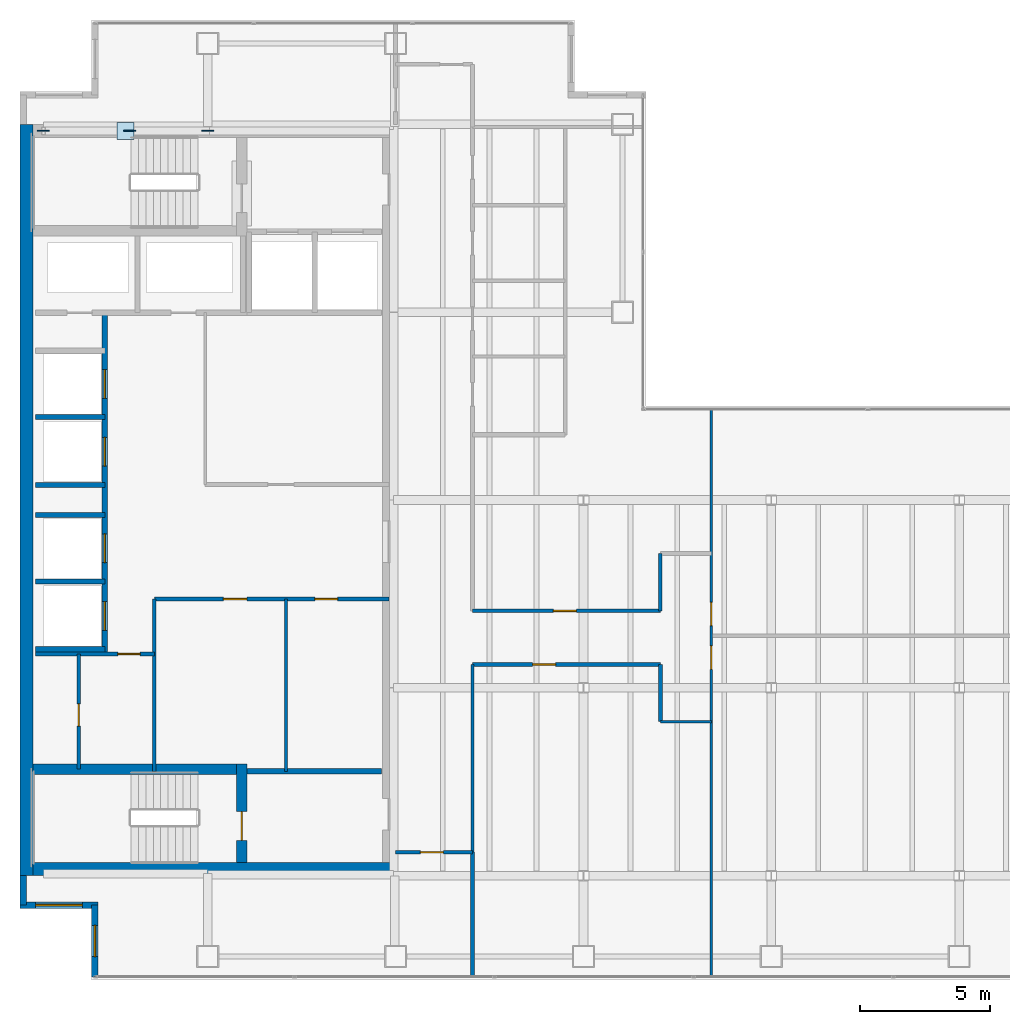
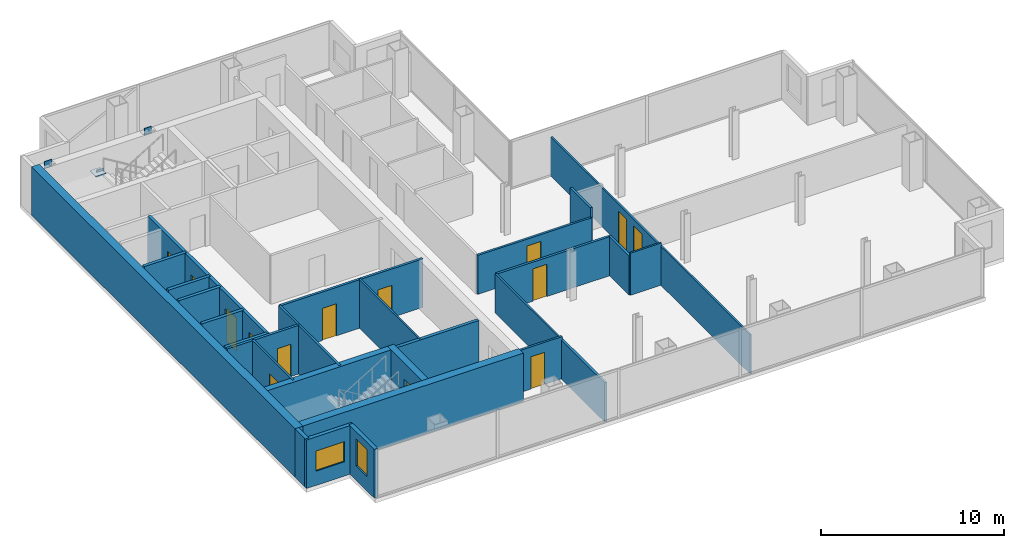
# One storey, part 20 of 23: 28 walls, 14 doors, 4 plates, 2 windows, 16 openings.
"""IFC4 building model written with IfcOpenShell, lengths in metres."""

from ifc_helpers import new_model, si_unit, direction, frame, frame_2d, origin, origin_2d, place, context, subcontext, project, spatial, rectangle, extrude, material, layer, layer_set, type_object, element, fill, save


model = new_model("IFC4")

# Units and contexts
model_context = context("Model", 3, precision=1e-05, world=origin(), true_north=direction((0.0, 1.0)))
body_context = subcontext(model_context, "Body", "Model", "MODEL_VIEW")
ifc_project = project(units=[si_unit("LENGTHUNIT", "METRE"), si_unit("AREAUNIT", "SQUARE_METRE"), si_unit("VOLUMEUNIT", "CUBIC_METRE"), si_unit("PLANEANGLEUNIT", "RADIAN"), si_unit("MASSUNIT", "GRAM", prefix="KILO")], contexts=[model_context])

# Site, building, storey
site_placement = place(None, origin())
site = spatial("IfcSite", under=ifc_project, at=site_placement, CompositionType="ELEMENT")
building_placement = place(site_placement, origin())
building = spatial("IfcBuilding", under=site, at=building_placement, Name="Cobrela Telecom Tower", CompositionType="ELEMENT")
storey_placement = place(building_placement, frame((0.0, 0.0, 183.75)))
storey = spatial("IfcBuildingStorey", under=building, at=storey_placement, Name="L46", CompositionType="ELEMENT", Elevation=183.75)

# Plates
ifc_material_1 = material(Name="Steel ASTM A572 Grade 50", Category="steel")
ifc_layer_1 = layer(ifc_material_1, 0.0419921875)
ifc_layer_set_1 = layer_set([ifc_layer_1], Name="Steel ASTM A572 Grade 50")
plate_type = type_object("IfcPlateType", Name="PLT-NODE-ND1", PredefinedType="USERDEFINED", material=ifc_layer_set_1)
for number, where, z_axis, x_axis, name in (
    (1, (7.199951171875, 35.75, 3.050048828125), (0.0, 0.0, 1.0), (1.0, 0.0, 0.0), "Steel node plate PLT-MBR-EXO-L46-N1-A-1"),
    (2, (4.198486328125, 35.75, 1.311767578125), (0.0, 0.0, 1.0), (-1.0, 0.0, 0.0), "Steel node plate PLT-MBR-EXO-L46-N1-B1-1"),
    (3, (0.89990234375, 35.75, 3.050048828125), (0.0, 0.0, 1.0), (-1.0, 0.0, 0.0), "Steel node plate PLT-MBR-EXO-L46-N1-B2-1"),
):
    element("IfcPlate", number, at=place(storey_placement, frame(where, z_axis=z_axis, x_axis=x_axis)), inside=storey, type_object=plate_type, Name=name, ObjectType="GUSSET PLATE", PredefinedType="USERDEFINED", context=body_context, shape_type="SweptSolid", body=[
        extrude(rectangle(XDim=0.4599609375, YDim=0.044921875, at=origin_2d()), origin(), (0.0, 0.0, 1.0), 0.4599609375),
    ])
plate_placement = place(storey_placement, frame((4.050048828125, 35.75, 1.59765625), z_axis=(0.0, 0.0, 1.0), x_axis=(1.0, 0.0, 0.0)))
element("IfcPlate", 4, at=plate_placement, inside=storey, type_object=plate_type, Name="L46 Core Flange Steel X-Brace Central X-Crossing Gusset Plate", ObjectType="GUSSET PLATE", PredefinedType="USERDEFINED", context=body_context, shape_type="SweptSolid", body=[
    extrude(rectangle(XDim=0.64990234375, YDim=0.64990234375, at=origin_2d()), origin(), (0.0, 0.0, 1.0), 0.044921875),
])

# Walls
ifc_material_2 = material(Name="Concrete C40/50", Category="concrete")
ifc_layer_2 = layer(ifc_material_2, 0.5)
ifc_layer_set_2 = layer_set([ifc_layer_2], Name="Concrete C40/50")
wall_type_1 = type_object("IfcWallType", Name="WALL-CORE-C40-500", PredefinedType="SHEAR", material=ifc_layer_set_2)
wall_1_placement = place(storey_placement, frame((0.25, 7.199951171875, 0.0), z_axis=(0.0, 0.0, 1.0), x_axis=(0.0, 1.0, 0.0)))
element("IfcWall", 5, at=wall_1_placement, inside=storey, type_object=wall_type_1, Name="L46 West Core Shear Wall", PredefinedType="SHEAR", context=body_context, shape_type="SweptSolid", body=[
    extrude(rectangle(XDim=28.800048828125, YDim=0.5, at=frame_2d((14.39990234375, 0.0))), origin(), (0.0, 0.0, 1.0), 3.239990234375),
])
wall_2_placement = place(storey_placement, frame((0.5, 7.449951171875, 0.0), z_axis=(0.0, 0.0, 1.0), x_axis=(1.0, 0.0, 0.0)))
element("IfcWall", 6, at=wall_2_placement, inside=storey, type_object=wall_type_1, Name="L46 South Core Shear Wall", PredefinedType="SHEAR", context=body_context, shape_type="SweptSolid", body=[
    extrude(rectangle(XDim=13.89990234375, YDim=0.5, at=frame_2d((6.949951171875, 0.0))), origin(), (0.0, 0.0, 1.0), 3.239990234375),
])

# Wall, opening, window
ifc_layer_3 = layer(ifc_material_2, 0.239990234375)
ifc_layer_set_3 = layer_set([ifc_layer_3], Name="Concrete C40/50")
wall_type_2 = type_object("IfcWallType", Name="WALL-EXT-300", PredefinedType="STANDARD", material=ifc_layer_set_3)
wall_3_placement = place(storey_placement, frame((2.8701171875, 3.320068359375, 0.0), z_axis=(0.0, 0.0, 1.0), x_axis=(0.0, 1.0, 0.0)))
wall_3 = element("IfcWall", 7, at=wall_3_placement, inside=storey, type_object=wall_type_2, Name="L46 Insulated Facade Wall 01", PredefinedType="STANDARD", context=body_context, shape_type="SweptSolid", body=[
    extrude(rectangle(XDim=2.75, YDim=0.239990234375, at=frame_2d((1.375, 0.0))), origin(), (0.0, 0.0, 1.0), 3.239990234375),
])
opening_1_placement = place(wall_3_placement, frame((0.77490234375, 0.0, 0.949951171875)))
opening_1 = element("IfcOpeningElement", 8, at=opening_1_placement, cuts=wall_3, Name="Opening WN-19", PredefinedType="OPENING", context=body_context, shape_type="SweptSolid", body=[
    extrude(rectangle(XDim=1.199951171875, YDim=1.800048828125, at=frame_2d((0.60009765625, 0.89990234375))), frame((0.0, 0.1318359375, 0.0), z_axis=(0.0, -1.0, 0.0), x_axis=(1.0, 0.0, 0.0)), (0.0, 0.0, 1.0), 0.263916015625),
])
ifc_material_3 = material(Name="Solar-Control Bronze Low-E Glass", Category="glass")
window_type_1 = type_object("IfcWindowType", Name="WIN-MOD-1200", PartitioningType="SINGLE_PANEL", PredefinedType="WINDOW", material=ifc_material_3)
window_1_placement = place(opening_1_placement, origin())
window_1 = element("IfcWindow", 9, at=window_1_placement, inside=storey, type_object=window_type_1, Name="L46 Corner Notch Facade Window 219", OverallHeight=1.800048828125, OverallWidth=1.199951171875, PartitioningType="SINGLE_PANEL", PredefinedType="WINDOW", context=body_context, shape_type="SweptSolid", body=[
    extrude(rectangle(XDim=1.199951171875, YDim=1.800048828125, at=frame_2d((0.60009765625, 0.89990234375))), frame((0.0, 0.030029296875, 0.0), z_axis=(0.0, -1.0, 0.0), x_axis=(1.0, 0.0, 0.0)), (0.0, 0.0, 1.0), 0.06005859375),
])
fill(opening_1, window_1)

wall_4_placement = place(storey_placement, frame((2.989990234375, 6.070068359375, 0.0), z_axis=(0.0, 0.0, 1.0), x_axis=(-1.0, 0.0, 0.0)))
wall_4 = element("IfcWall", 10, at=wall_4_placement, inside=storey, type_object=wall_type_2, Name="L46 Insulated Facade Wall 02", PredefinedType="STANDARD", context=body_context, shape_type="SweptSolid", body=[
    extrude(rectangle(XDim=2.989990234375, YDim=0.239990234375, at=frame_2d((1.4951171875, 0.0))), origin(), (0.0, 0.0, 1.0), 3.239990234375),
])
opening_2_placement = place(wall_4_placement, frame((0.594970703125, 0.0, 0.949951171875)))
opening_2 = element("IfcOpeningElement", 11, at=opening_2_placement, cuts=wall_4, Name="Opening WN-27", PredefinedType="OPENING", context=body_context, shape_type="SweptSolid", body=[
    extrude(rectangle(XDim=1.800048828125, YDim=1.35009765625, at=frame_2d((0.89990234375, 0.675048828125))), frame((0.0, 0.1318359375, 0.0), z_axis=(0.0, -1.0, 0.0), x_axis=(1.0, 0.0, 0.0)), (0.0, 0.0, 1.0), 0.263916015625),
])
window_type_2 = type_object("IfcWindowType", Name="WIN-CLER-1800", PartitioningType="SINGLE_PANEL", PredefinedType="WINDOW", material=ifc_material_3)
window_2_placement = place(opening_2_placement, origin())
window_2 = element("IfcWindow", 12, at=window_2_placement, inside=storey, type_object=window_type_2, Name="L46 Corner Notch Facade Window 220", OverallHeight=1.35009765625, OverallWidth=1.800048828125, PartitioningType="SINGLE_PANEL", PredefinedType="WINDOW", context=body_context, shape_type="SweptSolid", body=[
    extrude(rectangle(XDim=1.800048828125, YDim=1.35009765625, at=frame_2d((0.89990234375, 0.675048828125))), frame((0.0, 0.030029296875, 0.0), z_axis=(0.0, -1.0, 0.0), x_axis=(1.0, 0.0, 0.0)), (0.0, 0.0, 1.0), 0.06005859375),
])
fill(opening_2, window_2)

# Walls
wall_5_placement = place(storey_placement, frame((0.1201171875, 6.070068359375, 0.0), z_axis=(0.0, 0.0, 1.0), x_axis=(0.0, 1.0, 0.0)))
element("IfcWall", 13, at=wall_5_placement, inside=storey, type_object=wall_type_2, Name="L46 Insulated Facade Wall 03", PredefinedType="STANDARD", context=body_context, shape_type="SweptSolid", body=[
    extrude(rectangle(XDim=1.1298828125, YDim=0.239990234375, at=frame_2d((0.56494140625, 0.0))), origin(), (0.0, 0.0, 1.0), 3.239990234375),
])
ifc_material_4 = material(Name="Fire-Rated Gypsum Plasterboard")
ifc_layer_4 = layer(ifc_material_4, 0.110107421875)
ifc_layer_set_4 = layer_set([ifc_layer_4], Name="Fire-Rated Gypsum Plasterboard")
wall_type_3 = type_object("IfcWallType", Name="WALL-PART-110", PredefinedType="PARTITIONING", material=ifc_layer_set_4)
wall_6_placement = place(storey_placement, frame((10.199951171875, 11.199951171875, 0.0), z_axis=(0.0, 0.0, 1.0), x_axis=(0.0, 1.0, 0.0)))
element("IfcWall", 14, at=wall_6_placement, inside=storey, type_object=wall_type_3, Name="L46 Interior Partition CW-RECM-V", PredefinedType="PARTITIONING", context=body_context, shape_type="SweptSolid", body=[
    extrude(rectangle(XDim=6.60009765625, YDim=0.110107421875, at=frame_2d((3.300048828125, 0.0))), origin(), (0.0, 0.0, 1.0), 3.239990234375),
])
wall_7_placement = place(storey_placement, frame((17.35009765625, 8.10009765625, 0.0), z_axis=(0.0, 0.0, 1.0), x_axis=(0.0, 1.0, 0.0)))
element("IfcWall", 15, at=wall_7_placement, inside=storey, type_object=wall_type_3, Name="L46 Interior Partition W-C-E1", PredefinedType="PARTITIONING", context=body_context, shape_type="SweptSolid", body=[
    extrude(rectangle(XDim=7.199951171875, YDim=0.110107421875, at=frame_2d((3.60009765625, 0.0))), origin(), (0.0, 0.0, 1.0), 2.60302734375),
])
wall_8_placement = place(storey_placement, frame((24.550048828125, 13.10009765625, 0.0), z_axis=(0.0, 0.0, 1.0), x_axis=(1.0, 0.0, 0.0)))
element("IfcWall", 16, at=wall_8_placement, inside=storey, type_object=wall_type_3, Name="L46 Interior Partition W-CT-S", PredefinedType="PARTITIONING", context=body_context, shape_type="SweptSolid", body=[
    extrude(rectangle(XDim=1.949951171875, YDim=0.110107421875, at=frame_2d((0.97509765625, 0.0))), origin(), (0.0, 0.0, 1.0), 2.80810546875),
])

# Wall, openings, doors
wall_9_placement = place(storey_placement, frame((26.5, 3.320068359375, 0.0), z_axis=(0.0, 0.0, 1.0), x_axis=(0.0, 1.0, 0.0)))
wall_9 = element("IfcWall", 17, at=wall_9_placement, inside=storey, type_object=wall_type_3, Name="L46 Interior Partition W-C-END", PredefinedType="PARTITIONING", context=body_context, shape_type="SweptSolid", body=[
    extrude(rectangle(XDim=21.760009765625, YDim=0.110107421875, at=frame_2d((10.8798828125, 0.0))), origin(), (0.0, 0.0, 1.0), 2.60302734375),
])
opening_3_placement = place(wall_9_placement, frame((11.7900390625, 0.0, 0.0)))
opening_3 = element("IfcOpeningElement", 18, at=opening_3_placement, cuts=wall_9, Name="Opening DR-41", PredefinedType="OPENING", context=body_context, shape_type="SweptSolid", body=[
    extrude(rectangle(XDim=0.89990234375, YDim=2.14990234375, at=frame_2d((0.449951171875, 1.074951171875))), frame((0.0, 0.06689453125, 0.0), z_axis=(0.0, -1.0, 0.0), x_axis=(1.0, 0.0, 0.0)), (0.0, 0.0, 1.0), 0.134033203125),
])
opening_4_placement = place(wall_9_placement, frame((13.4599609375, 0.0, 0.0)))
opening_4 = element("IfcOpeningElement", 19, at=opening_4_placement, cuts=wall_9, Name="Opening DR-41", PredefinedType="OPENING", context=body_context, shape_type="SweptSolid", body=[
    extrude(rectangle(XDim=0.89990234375, YDim=2.14990234375, at=frame_2d((0.449951171875, 1.074951171875))), frame((0.0, 0.06689453125, 0.0), z_axis=(0.0, -1.0, 0.0), x_axis=(1.0, 0.0, 0.0)), (0.0, 0.0, 1.0), 0.134033203125),
])
ifc_material_5 = material(Name="Solid Engineered Oak Timber", Category="wood")
door_type_1 = type_object("IfcDoorType", Name="DOOR-INT-900", OperationType="SINGLE_SWING_LEFT", PredefinedType="DOOR", material=ifc_material_5)
door_1_placement = place(opening_3_placement, origin())
door_1 = element("IfcDoor", 20, at=door_1_placement, inside=storey, type_object=door_type_1, Name="L46 Door DR-41", OperationType="SINGLE_SWING_LEFT", OverallHeight=2.14990234375, OverallWidth=0.89990234375, PredefinedType="DOOR", context=body_context, shape_type="SweptSolid", body=[
    extrude(rectangle(XDim=0.89990234375, YDim=2.14990234375, at=frame_2d((0.449951171875, 1.074951171875))), frame((0.0, 0.02490234375, 0.0), z_axis=(0.0, -1.0, 0.0), x_axis=(1.0, 0.0, 0.0)), (0.0, 0.0, 1.0), 0.050048828125),
])
fill(opening_3, door_1)
door_2_placement = place(opening_4_placement, origin())
door_2 = element("IfcDoor", 21, at=door_2_placement, inside=storey, type_object=door_type_1, Name="L46 Door DR-41", OperationType="SINGLE_SWING_RIGHT", OverallHeight=2.14990234375, OverallWidth=0.89990234375, PredefinedType="DOOR", context=body_context, shape_type="SweptSolid", body=[
    extrude(rectangle(XDim=0.89990234375, YDim=2.14990234375, at=frame_2d((0.449951171875, 1.074951171875))), frame((0.0, 0.02490234375, 0.0), z_axis=(0.0, -1.0, 0.0), x_axis=(1.0, 0.0, 0.0)), (0.0, 0.0, 1.0), 0.050048828125),
])
fill(opening_4, door_2)

# Wall, opening, door
ifc_layer_5 = layer(ifc_material_4, 0.125)
ifc_layer_set_5 = layer_set([ifc_layer_5], Name="Fire-Rated Gypsum Plasterboard")
wall_type_4 = type_object("IfcWallType", Name="WALL-PART-125", PredefinedType="PARTITIONING", material=ifc_layer_set_5)
wall_10_placement = place(storey_placement, frame((2.25, 11.280029296875, 0.0), z_axis=(0.0, 0.0, 1.0), x_axis=(0.0, 1.0, 0.0)))
wall_10 = element("IfcWall", 22, at=wall_10_placement, inside=storey, type_object=wall_type_4, Name="L46 Interior Partition CW-FK0-V", PredefinedType="PARTITIONING", context=body_context, shape_type="SweptSolid", body=[
    extrude(rectangle(XDim=4.419921875, YDim=0.125, at=frame_2d((2.2099609375, 0.0))), origin(), (0.0, 0.0, 1.0), 3.239990234375),
])
opening_5_placement = place(wall_10_placement, frame((1.64990234375, 0.0, 0.0)))
opening_5 = element("IfcOpeningElement", 23, at=opening_5_placement, cuts=wall_10, Name="Opening DR-11", PredefinedType="OPENING", context=body_context, shape_type="SweptSolid", body=[
    extrude(rectangle(XDim=0.85009765625, YDim=2.14990234375, at=frame_2d((0.425048828125, 1.074951171875))), frame((0.0, 0.074462890625, 0.0), z_axis=(0.0, -1.0, 0.0), x_axis=(1.0, 0.0, 0.0)), (0.0, 0.0, 1.0), 0.14892578125),
])
door_type_2 = type_object("IfcDoorType", Name="DOOR-INT-850", OperationType="SINGLE_SWING_LEFT", PredefinedType="DOOR", material=ifc_material_5)
door_3_placement = place(opening_5_placement, origin())
door_3 = element("IfcDoor", 24, at=door_3_placement, inside=storey, type_object=door_type_2, Name="L46 Door DR-11", OperationType="SINGLE_SWING_LEFT", OverallHeight=2.14990234375, OverallWidth=0.85009765625, PredefinedType="DOOR", context=body_context, shape_type="SweptSolid", body=[
    extrude(rectangle(XDim=0.85009765625, YDim=2.14990234375, at=frame_2d((0.425048828125, 1.074951171875))), frame((0.0, 0.02490234375, 0.0), z_axis=(0.0, -1.0, 0.0), x_axis=(1.0, 0.0, 0.0)), (0.0, 0.0, 1.0), 0.050048828125),
])
fill(opening_5, door_3)

# Wall
ifc_layer_6 = layer(ifc_material_4, 0.135009765625)
ifc_layer_set_6 = layer_set([ifc_layer_6], Name="Fire-Rated Gypsum Plasterboard")
wall_type_5 = type_object("IfcWallType", Name="WALL-PART-135", PredefinedType="PARTITIONING", material=ifc_layer_set_6)
wall_11_placement = place(storey_placement, frame((5.14990234375, 11.199951171875, 0.0), z_axis=(0.0, 0.0, 1.0), x_axis=(0.0, 1.0, 0.0)))
element("IfcWall", 25, at=wall_11_placement, inside=storey, type_object=wall_type_5, Name="L46 Interior Partition CW-RECM-W", PredefinedType="PARTITIONING", context=body_context, shape_type="SweptSolid", body=[
    extrude(rectangle(XDim=6.60009765625, YDim=0.135009765625, at=frame_2d((3.300048828125, 0.0))), origin(), (0.0, 0.0, 1.0), 3.239990234375),
])

# Wall, opening, door
wall_12_placement = place(storey_placement, frame((14.39990234375, 8.10009765625, 0.0), z_axis=(0.0, 0.0, 1.0), x_axis=(1.0, 0.0, 0.0)))
wall_12 = element("IfcWall", 26, at=wall_12_placement, inside=storey, type_object=wall_type_5, Name="L46 Interior Partition W-C-S0", PredefinedType="PARTITIONING", context=body_context, shape_type="SweptSolid", body=[
    extrude(rectangle(XDim=2.9501953125, YDim=0.135009765625, at=frame_2d((1.47509765625, 0.0))), origin(), (0.0, 0.0, 1.0), 2.80810546875),
])
opening_6_placement = place(wall_12_placement, frame((0.949951171875, 0.0, 0.0)))
opening_6 = element("IfcOpeningElement", 27, at=opening_6_placement, cuts=wall_12, Name="Opening DR-39", PredefinedType="OPENING", context=body_context, shape_type="SweptSolid", body=[
    extrude(rectangle(XDim=0.8798828125, YDim=2.14990234375, at=frame_2d((0.43994140625, 1.074951171875))), frame((0.0, 0.07958984375, 0.0), z_axis=(0.0, -1.0, 0.0), x_axis=(1.0, 0.0, 0.0)), (0.0, 0.0, 1.0), 0.158935546875),
])
door_type_3 = type_object("IfcDoorType", Name="DOOR-INT-880", OperationType="SINGLE_SWING_LEFT", PredefinedType="DOOR", material=ifc_material_5)
door_4_placement = place(opening_6_placement, origin())
door_4 = element("IfcDoor", 28, at=door_4_placement, inside=storey, type_object=door_type_3, Name="L46 Door DR-39", OperationType="SINGLE_SWING_RIGHT", OverallHeight=2.14990234375, OverallWidth=0.8798828125, PredefinedType="DOOR", context=body_context, shape_type="SweptSolid", body=[
    extrude(rectangle(XDim=0.8798828125, YDim=2.14990234375, at=frame_2d((0.43994140625, 1.074951171875))), frame((0.0, 0.02490234375, 0.0), z_axis=(0.0, -1.0, 0.0), x_axis=(1.0, 0.0, 0.0)), (0.0, 0.0, 1.0), 0.050048828125),
])
fill(opening_6, door_4)

wall_13_placement = place(storey_placement, frame((17.35009765625, 17.35009765625, 0.0), z_axis=(0.0, 0.0, 1.0), x_axis=(1.0, 0.0, 0.0)))
wall_13 = element("IfcWall", 29, at=wall_13_placement, inside=storey, type_object=wall_type_5, Name="L46 Interior Partition W-C-HN", PredefinedType="PARTITIONING", context=body_context, shape_type="SweptSolid", body=[
    extrude(rectangle(XDim=7.199951171875, YDim=0.135009765625, at=frame_2d((3.60009765625, 0.0))), origin(), (0.0, 0.0, 1.0), 2.60302734375),
])
opening_7_placement = place(wall_13_placement, frame((3.10009765625, 0.0, 0.0)))
opening_7 = element("IfcOpeningElement", 30, at=opening_7_placement, cuts=wall_13, Name="Opening DR-39", PredefinedType="OPENING", context=body_context, shape_type="SweptSolid", body=[
    extrude(rectangle(XDim=0.8798828125, YDim=2.14990234375, at=frame_2d((0.43994140625, 1.074951171875))), frame((0.0, 0.07958984375, 0.0), z_axis=(0.0, -1.0, 0.0), x_axis=(1.0, 0.0, 0.0)), (0.0, 0.0, 1.0), 0.158935546875),
])
door_5_placement = place(opening_7_placement, origin())
door_5 = element("IfcDoor", 31, at=door_5_placement, inside=storey, type_object=door_type_3, Name="L46 Door DR-39", OperationType="SINGLE_SWING_LEFT", OverallHeight=2.14990234375, OverallWidth=0.8798828125, PredefinedType="DOOR", context=body_context, shape_type="SweptSolid", body=[
    extrude(rectangle(XDim=0.8798828125, YDim=2.14990234375, at=frame_2d((0.43994140625, 1.074951171875))), frame((0.0, 0.02490234375, 0.0), z_axis=(0.0, -1.0, 0.0), x_axis=(1.0, 0.0, 0.0)), (0.0, 0.0, 1.0), 0.050048828125),
])
fill(opening_7, door_5)

# Wall
wall_14_placement = place(storey_placement, frame((24.550048828125, 17.35009765625, 0.0), z_axis=(0.0, 0.0, 1.0), x_axis=(0.0, 1.0, 0.0)))
element("IfcWall", 32, at=wall_14_placement, inside=storey, type_object=wall_type_5, Name="L46 Interior Partition W-CT-JW2", PredefinedType="PARTITIONING", context=body_context, shape_type="SweptSolid", body=[
    extrude(rectangle(XDim=2.199951171875, YDim=0.135009765625, at=frame_2d((1.10009765625, 0.0))), origin(), (0.0, 0.0, 1.0), 3.239990234375),
])

# Wall, openings, doors
ifc_layer_7 = layer(ifc_material_4, 0.14990234375)
ifc_layer_set_7 = layer_set([ifc_layer_7], Name="Fire-Rated Gypsum Plasterboard")
wall_type_6 = type_object("IfcWallType", Name="WALL-PART-150", PredefinedType="PARTITIONING", material=ifc_layer_set_7)
wall_15_placement = place(storey_placement, frame((5.14990234375, 17.800048828125, 0.0), z_axis=(0.0, 0.0, 1.0), x_axis=(1.0, 0.0, 0.0)))
wall_15 = element("IfcWall", 33, at=wall_15_placement, inside=storey, type_object=wall_type_6, Name="L46 Interior Partition CW-RECM-N", PredefinedType="PARTITIONING", context=body_context, shape_type="SweptSolid", body=[
    extrude(rectangle(XDim=9.0, YDim=0.14990234375, at=frame_2d((4.5, 0.0))), origin(), (0.0, 0.0, 1.0), 3.239990234375),
])
opening_8_placement = place(wall_15_placement, frame((2.64990234375, 0.0, 0.0)))
opening_8 = element("IfcOpeningElement", 34, at=opening_8_placement, cuts=wall_15, Name="Opening DR-41", PredefinedType="OPENING", context=body_context, shape_type="SweptSolid", body=[
    extrude(rectangle(XDim=0.89990234375, YDim=2.14990234375, at=frame_2d((0.449951171875, 1.074951171875))), frame((0.0, 0.0869140625, 0.0), z_axis=(0.0, -1.0, 0.0), x_axis=(1.0, 0.0, 0.0)), (0.0, 0.0, 1.0), 0.173828125),
])
opening_9_placement = place(wall_15_placement, frame((6.14990234375, 0.0, 0.0)))
opening_9 = element("IfcOpeningElement", 35, at=opening_9_placement, cuts=wall_15, Name="Opening DR-39", PredefinedType="OPENING", context=body_context, shape_type="SweptSolid", body=[
    extrude(rectangle(XDim=0.8798828125, YDim=2.14990234375, at=frame_2d((0.43994140625, 1.074951171875))), frame((0.0, 0.0869140625, 0.0), z_axis=(0.0, -1.0, 0.0), x_axis=(1.0, 0.0, 0.0)), (0.0, 0.0, 1.0), 0.173828125),
])
door_6_placement = place(opening_9_placement, origin())
door_6 = element("IfcDoor", 36, at=door_6_placement, inside=storey, type_object=door_type_3, Name="L46 Door DR-39", OperationType="SINGLE_SWING_RIGHT", OverallHeight=2.14990234375, OverallWidth=0.8798828125, PredefinedType="DOOR", context=body_context, shape_type="SweptSolid", body=[
    extrude(rectangle(XDim=0.8798828125, YDim=2.14990234375, at=frame_2d((0.43994140625, 1.074951171875))), frame((0.0, 0.02490234375, 0.0), z_axis=(0.0, -1.0, 0.0), x_axis=(1.0, 0.0, 0.0)), (0.0, 0.0, 1.0), 0.050048828125),
])
fill(opening_9, door_6)
door_7_placement = place(opening_8_placement, origin())
door_7 = element("IfcDoor", 37, at=door_7_placement, inside=storey, type_object=door_type_1, Name="L46 Door DR-41", OperationType="SINGLE_SWING_LEFT", OverallHeight=2.14990234375, OverallWidth=0.89990234375, PredefinedType="DOOR", context=body_context, shape_type="SweptSolid", body=[
    extrude(rectangle(XDim=0.89990234375, YDim=2.14990234375, at=frame_2d((0.449951171875, 1.074951171875))), frame((0.0, 0.02490234375, 0.0), z_axis=(0.0, -1.0, 0.0), x_axis=(1.0, 0.0, 0.0)), (0.0, 0.0, 1.0), 0.050048828125),
])
fill(opening_8, door_7)

# Wall, opening, door
wall_16_placement = place(storey_placement, frame((17.35009765625, 15.300048828125, 0.0), z_axis=(0.0, 0.0, 1.0), x_axis=(1.0, 0.0, 0.0)))
wall_16 = element("IfcWall", 38, at=wall_16_placement, inside=storey, type_object=wall_type_6, Name="L46 Interior Partition W-C-HS", PredefinedType="PARTITIONING", context=body_context, shape_type="SweptSolid", body=[
    extrude(rectangle(XDim=7.199951171875, YDim=0.14990234375, at=frame_2d((3.60009765625, 0.0))), origin(), (0.0, 0.0, 1.0), 2.60302734375),
])
opening_10_placement = place(wall_16_placement, frame((2.300048828125, 0.0, 0.0)))
opening_10 = element("IfcOpeningElement", 39, at=opening_10_placement, cuts=wall_16, Name="Opening DR-39", PredefinedType="OPENING", context=body_context, shape_type="SweptSolid", body=[
    extrude(rectangle(XDim=0.8798828125, YDim=2.14990234375, at=frame_2d((0.43994140625, 1.074951171875))), frame((0.0, 0.0869140625, 0.0), z_axis=(0.0, -1.0, 0.0), x_axis=(1.0, 0.0, 0.0)), (0.0, 0.0, 1.0), 0.173828125),
])
door_8_placement = place(opening_10_placement, origin())
door_8 = element("IfcDoor", 40, at=door_8_placement, inside=storey, type_object=door_type_3, Name="L46 Door DR-39", OperationType="SINGLE_SWING_LEFT", OverallHeight=2.14990234375, OverallWidth=0.8798828125, PredefinedType="DOOR", context=body_context, shape_type="SweptSolid", body=[
    extrude(rectangle(XDim=0.8798828125, YDim=2.14990234375, at=frame_2d((0.43994140625, 1.074951171875))), frame((0.0, 0.02490234375, 0.0), z_axis=(0.0, -1.0, 0.0), x_axis=(1.0, 0.0, 0.0)), (0.0, 0.0, 1.0), 0.050048828125),
])
fill(opening_10, door_8)

# Walls
wall_17_placement = place(storey_placement, frame((24.550048828125, 13.10009765625, 0.0), z_axis=(0.0, 0.0, 1.0), x_axis=(0.0, 1.0, 0.0)))
element("IfcWall", 41, at=wall_17_placement, inside=storey, type_object=wall_type_6, Name="L46 Interior Partition W-CT-JW1", PredefinedType="PARTITIONING", context=body_context, shape_type="SweptSolid", body=[
    extrude(rectangle(XDim=2.199951171875, YDim=0.14990234375, at=frame_2d((1.10009765625, 0.0))), origin(), (0.0, 0.0, 1.0), 2.60302734375),
])
wall_18_placement = place(storey_placement, frame((17.35009765625, 3.320068359375, 0.0), z_axis=(0.0, 0.0, 1.0), x_axis=(0.0, 1.0, 0.0)))
element("IfcWall", 42, at=wall_18_placement, inside=storey, type_object=wall_type_6, Name="L46 Interior Partition W-SW-E", PredefinedType="PARTITIONING", context=body_context, shape_type="SweptSolid", body=[
    extrude(rectangle(XDim=4.780029296875, YDim=0.14990234375, at=frame_2d((2.39013671875, 0.0))), origin(), (0.0, 0.0, 1.0), 2.60302734375),
])

# Wall, opening, door
ifc_layer_8 = layer(ifc_material_4, 0.159912109375)
ifc_layer_set_8 = layer_set([ifc_layer_8], Name="Fire-Rated Gypsum Plasterboard")
wall_type_7 = type_object("IfcWallType", Name="WALL-PART-160", PredefinedType="PARTITIONING", material=ifc_layer_set_8)
wall_19_placement = place(storey_placement, frame((0.60009765625, 15.699951171875, 0.0), z_axis=(0.0, 0.0, 1.0), x_axis=(1.0, 0.0, 0.0)))
wall_19 = element("IfcWall", 43, at=wall_19_placement, inside=storey, type_object=wall_type_7, Name="L46 Interior Partition CW-FLEX-N", PredefinedType="PARTITIONING", context=body_context, shape_type="SweptSolid", body=[
    extrude(rectangle(XDim=4.5498046875, YDim=0.159912109375, at=frame_2d((2.27490234375, 0.0))), origin(), (0.0, 0.0, 1.0), 3.239990234375),
])
opening_11_placement = place(wall_19_placement, frame((3.14990234375, 0.0, 0.0)))
opening_11 = element("IfcOpeningElement", 44, at=opening_11_placement, cuts=wall_19, Name="Opening DR-11", PredefinedType="OPENING", context=body_context, shape_type="SweptSolid", body=[
    extrude(rectangle(XDim=0.85009765625, YDim=2.14990234375, at=frame_2d((0.425048828125, 1.074951171875))), frame((0.0, 0.091796875, 0.0), z_axis=(0.0, -1.0, 0.0), x_axis=(1.0, 0.0, 0.0)), (0.0, 0.0, 1.0), 0.183837890625),
])
door_9_placement = place(opening_11_placement, origin())
door_9 = element("IfcDoor", 45, at=door_9_placement, inside=storey, type_object=door_type_2, Name="L46 Door DR-11", OperationType="SINGLE_SWING_RIGHT", OverallHeight=2.14990234375, OverallWidth=0.85009765625, PredefinedType="DOOR", context=body_context, shape_type="SweptSolid", body=[
    extrude(rectangle(XDim=0.85009765625, YDim=2.14990234375, at=frame_2d((0.425048828125, 1.074951171875))), frame((0.0, 0.02490234375, 0.0), z_axis=(0.0, -1.0, 0.0), x_axis=(1.0, 0.0, 0.0)), (0.0, 0.0, 1.0), 0.050048828125),
])
fill(opening_11, door_9)

# Wall
ifc_layer_9 = layer(ifc_material_4, 0.199951171875)
ifc_layer_set_9 = layer_set([ifc_layer_9], Name="Fire-Rated Gypsum Plasterboard")
wall_type_8 = type_object("IfcWallType", Name="WALL-SHAFT-200", PredefinedType="PARTITIONING", material=ifc_layer_set_9)
wall_20_placement = place(storey_placement, frame((8.699951171875, 11.199951171875, 0.0), z_axis=(0.0, 0.0, 1.0), x_axis=(1.0, 0.0, 0.0)))
element("IfcWall", 46, at=wall_20_placement, inside=storey, type_object=wall_type_8, Name="L46 Shaft Enclosure CW-ST2L-N", PredefinedType="PARTITIONING", context=body_context, shape_type="SweptSolid", body=[
    extrude(rectangle(XDim=5.150146484375, YDim=0.199951171875, at=frame_2d((2.5751953125, 0.0))), origin(), (0.0, 0.0, 1.0), 3.239990234375),
])

# Wall, openings, doors
wall_21_placement = place(storey_placement, frame((3.25, 15.699951171875, 0.0), z_axis=(0.0, 0.0, 1.0), x_axis=(0.0, 1.0, 0.0)))
wall_21 = element("IfcWall", 47, at=wall_21_placement, inside=storey, type_object=wall_type_8, Name="L46 Shaft Enclosure CW-PLH-E", PredefinedType="PARTITIONING", context=body_context, shape_type="SweptSolid", body=[
    extrude(rectangle(XDim=13.080078125, YDim=0.199951171875, at=frame_2d((6.5400390625, 0.0))), origin(), (0.0, 0.0, 1.0), 3.239990234375),
])
opening_12_placement = place(wall_21_placement, frame((0.89990234375, 0.0, 0.0)))
opening_12 = element("IfcOpeningElement", 48, at=opening_12_placement, cuts=wall_21, Name="Opening LD-1", PredefinedType="OPENING", context=body_context, shape_type="SweptSolid", body=[
    extrude(rectangle(XDim=1.10009765625, YDim=2.199951171875, at=frame_2d((0.550048828125, 1.10009765625))), frame((0.0, 0.11181640625, 0.0), z_axis=(0.0, -1.0, 0.0), x_axis=(1.0, 0.0, 0.0)), (0.0, 0.0, 1.0), 0.223876953125),
])
opening_13_placement = place(wall_21_placement, frame((3.5, 0.0, 0.0)))
opening_13 = element("IfcOpeningElement", 49, at=opening_13_placement, cuts=wall_21, Name="Opening LD-1", PredefinedType="OPENING", context=body_context, shape_type="SweptSolid", body=[
    extrude(rectangle(XDim=1.10009765625, YDim=2.199951171875, at=frame_2d((0.550048828125, 1.10009765625))), frame((0.0, 0.11181640625, 0.0), z_axis=(0.0, -1.0, 0.0), x_axis=(1.0, 0.0, 0.0)), (0.0, 0.0, 1.0), 0.223876953125),
])
opening_14_placement = place(wall_21_placement, frame((7.199951171875, 0.0, 0.0)))
opening_14 = element("IfcOpeningElement", 50, at=opening_14_placement, cuts=wall_21, Name="Opening LD-1", PredefinedType="OPENING", context=body_context, shape_type="SweptSolid", body=[
    extrude(rectangle(XDim=1.10009765625, YDim=2.199951171875, at=frame_2d((0.550048828125, 1.10009765625))), frame((0.0, 0.11181640625, 0.0), z_axis=(0.0, -1.0, 0.0), x_axis=(1.0, 0.0, 0.0)), (0.0, 0.0, 1.0), 0.223876953125),
])
opening_15_placement = place(wall_21_placement, frame((9.800048828125, 0.0, 0.0)))
opening_15 = element("IfcOpeningElement", 51, at=opening_15_placement, cuts=wall_21, Name="Opening LD-1", PredefinedType="OPENING", context=body_context, shape_type="SweptSolid", body=[
    extrude(rectangle(XDim=1.10009765625, YDim=2.199951171875, at=frame_2d((0.550048828125, 1.10009765625))), frame((0.0, 0.11181640625, 0.0), z_axis=(0.0, -1.0, 0.0), x_axis=(1.0, 0.0, 0.0)), (0.0, 0.0, 1.0), 0.223876953125),
])
ifc_material_6 = material(Name="Steel ASTM A36", Category="steel")
door_type_4 = type_object("IfcDoorType", Name="DOOR-LD-PL", OperationType="SINGLE_SWING_LEFT", PredefinedType="DOOR", material=ifc_material_6)
door_10_placement = place(opening_12_placement, origin())
door_10 = element("IfcDoor", 52, at=door_10_placement, inside=storey, type_object=door_type_4, Name="L46 Lift Landing Door LD-1", OperationType="DOUBLE_DOOR_SLIDING", OverallHeight=2.199951171875, OverallWidth=1.10009765625, PredefinedType="DOOR", context=body_context, shape_type="SweptSolid", body=[
    extrude(rectangle(XDim=1.10009765625, YDim=2.199951171875, at=frame_2d((0.550048828125, 1.10009765625))), frame((0.0, 0.02490234375, 0.0), z_axis=(0.0, -1.0, 0.0), x_axis=(1.0, 0.0, 0.0)), (0.0, 0.0, 1.0), 0.050048828125),
])
fill(opening_12, door_10)
door_11_placement = place(opening_13_placement, origin())
door_11 = element("IfcDoor", 53, at=door_11_placement, inside=storey, type_object=door_type_4, Name="L46 Lift Landing Door LD-1", OperationType="DOUBLE_DOOR_SLIDING", OverallHeight=2.199951171875, OverallWidth=1.10009765625, PredefinedType="DOOR", context=body_context, shape_type="SweptSolid", body=[
    extrude(rectangle(XDim=1.10009765625, YDim=2.199951171875, at=frame_2d((0.550048828125, 1.10009765625))), frame((0.0, 0.02490234375, 0.0), z_axis=(0.0, -1.0, 0.0), x_axis=(1.0, 0.0, 0.0)), (0.0, 0.0, 1.0), 0.050048828125),
])
fill(opening_13, door_11)
door_12_placement = place(opening_14_placement, origin())
door_12 = element("IfcDoor", 54, at=door_12_placement, inside=storey, type_object=door_type_4, Name="L46 Lift Landing Door LD-1", OperationType="DOUBLE_DOOR_SLIDING", OverallHeight=2.199951171875, OverallWidth=1.10009765625, PredefinedType="DOOR", context=body_context, shape_type="SweptSolid", body=[
    extrude(rectangle(XDim=1.10009765625, YDim=2.199951171875, at=frame_2d((0.550048828125, 1.10009765625))), frame((0.0, 0.02490234375, 0.0), z_axis=(0.0, -1.0, 0.0), x_axis=(1.0, 0.0, 0.0)), (0.0, 0.0, 1.0), 0.050048828125),
])
fill(opening_14, door_12)
door_13_placement = place(opening_15_placement, origin())
door_13 = element("IfcDoor", 55, at=door_13_placement, inside=storey, type_object=door_type_4, Name="L46 Lift Landing Door LD-1", OperationType="DOUBLE_DOOR_SLIDING", OverallHeight=2.199951171875, OverallWidth=1.10009765625, PredefinedType="DOOR", context=body_context, shape_type="SweptSolid", body=[
    extrude(rectangle(XDim=1.10009765625, YDim=2.199951171875, at=frame_2d((0.550048828125, 1.10009765625))), frame((0.0, 0.02490234375, 0.0), z_axis=(0.0, -1.0, 0.0), x_axis=(1.0, 0.0, 0.0)), (0.0, 0.0, 1.0), 0.050048828125),
])
fill(opening_15, door_13)

# Walls
for number, where, z_axis, x_axis, name in (
    (56, (0.60009765625, 15.8798828125, 0.0), (0.0, 0.0, 1.0), (1.0, 0.0, 0.0), "L46 Shaft Enclosure CW-PLH-D9"),
    (57, (0.60009765625, 18.47998046875, 0.0), (0.0, 0.0, 1.0), (1.0, 0.0, 0.0), "L46 Shaft Enclosure CW-PLH-D10"),
    (58, (0.60009765625, 22.179931640625, 0.0), (0.0, 0.0, 1.0), (1.0, 0.0, 0.0), "L46 Shaft Enclosure CW-PLH-D11"),
    (59, (0.60009765625, 24.780029296875, 0.0), (0.0, 0.0, 1.0), (1.0, 0.0, 0.0), "L46 Shaft Enclosure CW-PLH-D12"),
    (60, (0.60009765625, 21.02001953125, 0.0), (0.0, 0.0, 1.0), (1.0, 0.0, 0.0), "L46 Shaft Enclosure CW-PLH-MID"),
):
    element("IfcWall", number, at=place(storey_placement, frame(where, z_axis=z_axis, x_axis=x_axis)), inside=storey, type_object=wall_type_8, Name=name, PredefinedType="PARTITIONING", context=body_context, shape_type="SweptSolid", body=[
        extrude(rectangle(XDim=2.64990234375, YDim=0.199951171875, at=frame_2d((1.324951171875, 0.0))), origin(), (0.0, 0.0, 1.0), 3.239990234375),
    ])
ifc_layer_10 = layer(ifc_material_2, 0.39990234375)
ifc_layer_set_10 = layer_set([ifc_layer_10], Name="Concrete C40/50")
wall_type_9 = type_object("IfcWallType", Name="WALL-SHAFT-C40-400", PredefinedType="SHEAR", material=ifc_layer_set_10)
wall_22_placement = place(storey_placement, frame((0.5, 11.280029296875, 0.0), z_axis=(0.0, 0.0, 1.0), x_axis=(1.0, 0.0, 0.0)))
element("IfcWall", 61, at=wall_22_placement, inside=storey, type_object=wall_type_9, Name="L46 South Stair Shear Wall", PredefinedType="SHEAR", context=body_context, shape_type="SweptSolid", body=[
    extrude(rectangle(XDim=7.800048828125, YDim=0.39990234375, at=frame_2d((3.89990234375, 0.0))), origin(), (0.0, 0.0, 1.0), 3.239990234375),
])

# Wall, opening, door
wall_23_placement = place(storey_placement, frame((8.5, 7.699951171875, 0.0), z_axis=(0.0, 0.0, 1.0), x_axis=(0.0, 1.0, 0.0)))
wall_23 = element("IfcWall", 62, at=wall_23_placement, inside=storey, type_object=wall_type_9, Name="L46 South Stair Lobby Shear Wall", PredefinedType="SHEAR", context=body_context, shape_type="SweptSolid", body=[
    extrude(rectangle(XDim=3.780029296875, YDim=0.39990234375, at=frame_2d((1.89013671875, 0.0))), origin(), (0.0, 0.0, 1.0), 3.239990234375),
])
opening_16_placement = place(wall_23_placement, frame((0.85009765625, 0.0, 0.0)))
opening_16 = element("IfcOpeningElement", 63, at=opening_16_placement, cuts=wall_23, Name="Opening FD-90", PredefinedType="OPENING", context=body_context, shape_type="SweptSolid", body=[
    extrude(rectangle(XDim=1.10009765625, YDim=2.14990234375, at=frame_2d((0.550048828125, 1.074951171875))), frame((0.0, 0.2119140625, 0.0), z_axis=(0.0, -1.0, 0.0), x_axis=(1.0, 0.0, 0.0)), (0.0, 0.0, 1.0), 0.423828125),
])
door_type_5 = type_object("IfcDoorType", Name="DOOR-FD90-1100", OperationType="SINGLE_SWING_LEFT", PredefinedType="DOOR", material=ifc_material_6)
door_14_placement = place(opening_16_placement, origin())
door_14 = element("IfcDoor", 64, at=door_14_placement, inside=storey, type_object=door_type_5, Name="L46 Door FD-90", OperationType="SINGLE_SWING_LEFT", OverallHeight=2.14990234375, OverallWidth=1.10009765625, PredefinedType="DOOR", context=body_context, shape_type="SweptSolid", body=[
    extrude(rectangle(XDim=1.10009765625, YDim=2.14990234375, at=frame_2d((0.550048828125, 1.074951171875))), frame((0.0, 0.02490234375, 0.0), z_axis=(0.0, -1.0, 0.0), x_axis=(1.0, 0.0, 0.0)), (0.0, 0.0, 1.0), 0.050048828125),
])
fill(opening_16, door_14)

save(model, "model.ifc")
